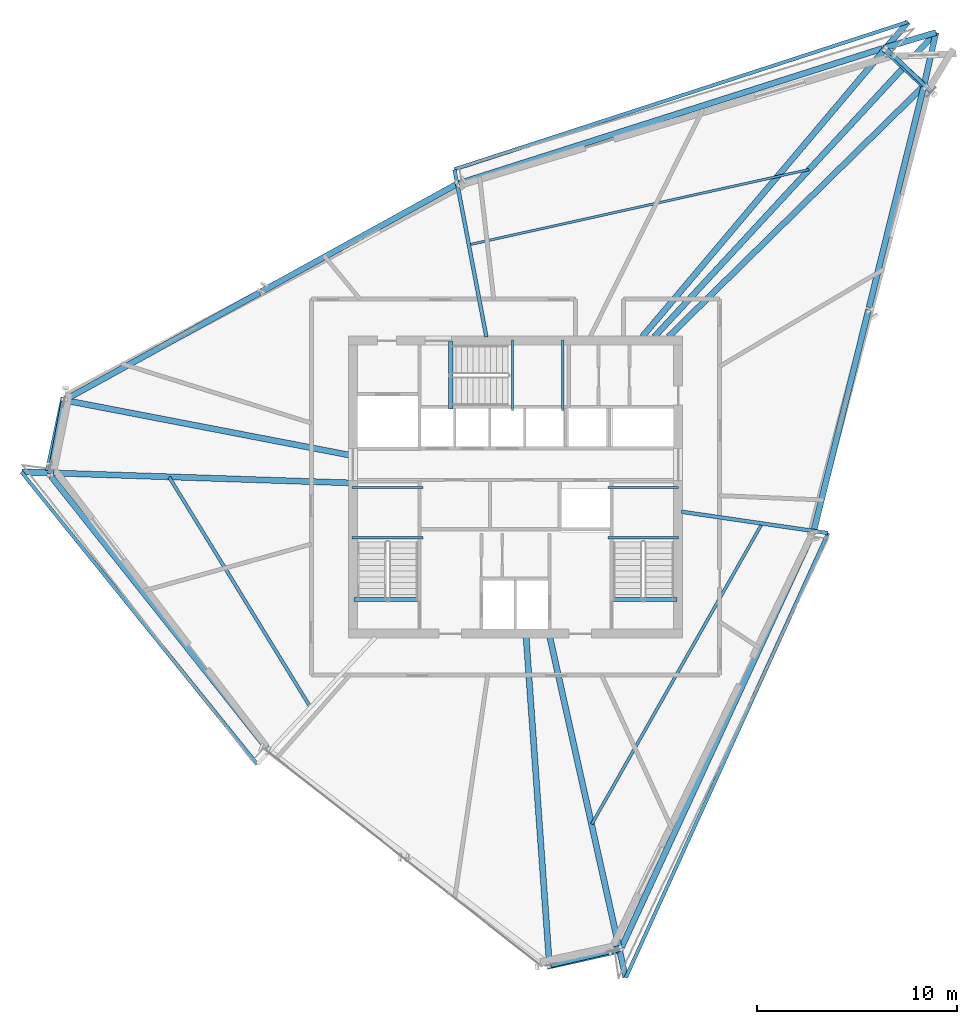
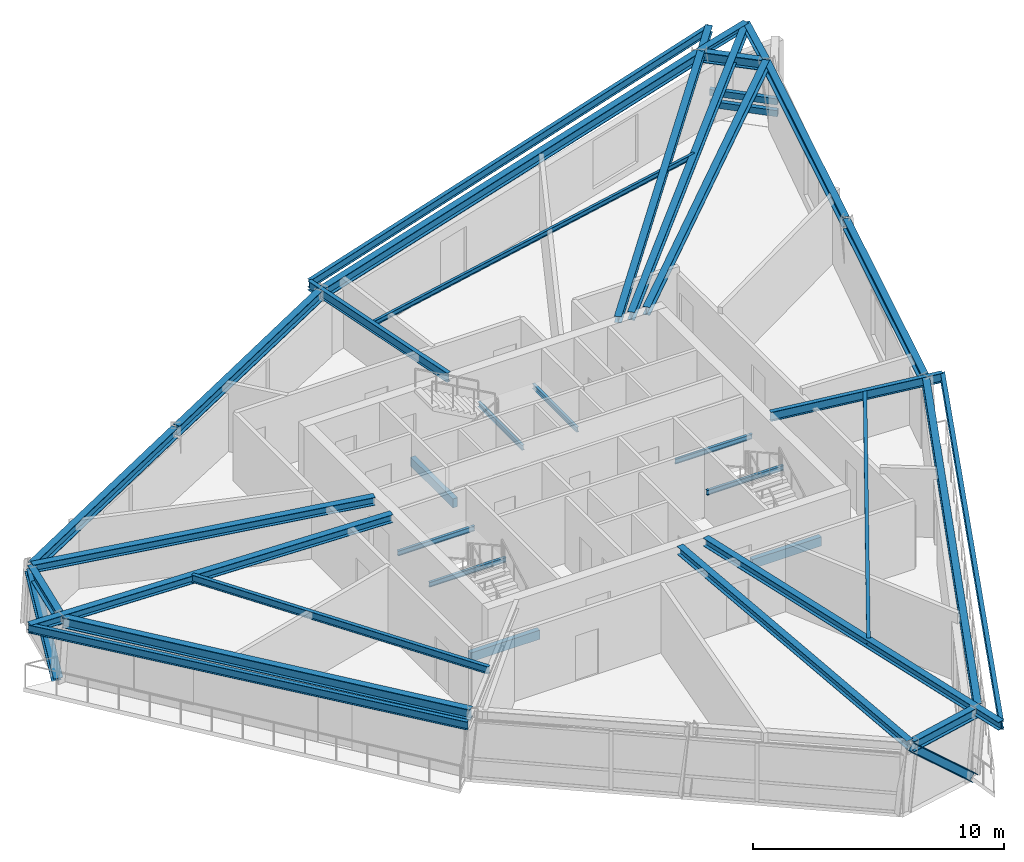
# One storey, part 4 of 14: 36 beams, 4 members.
"""IFC4 building model written with IfcOpenShell, lengths in metres."""

from ifc_helpers import new_model, si_unit, direction, frame, origin, origin_2d, place, context, subcontext, project, spatial, rectangle, hollow_rectangle, i_section, extrude, source, transform, mapped, material, material_profile, profile_set, type_object, element, save


model = new_model("IFC4")

# Units and contexts
model_context = context("Model", 3, precision=1e-05, world=origin(), true_north=direction((0.0, 1.0)))
body_context = subcontext(model_context, "Body", "Model", "MODEL_VIEW")
ifc_project = project(units=[si_unit("LENGTHUNIT", "METRE"), si_unit("AREAUNIT", "SQUARE_METRE"), si_unit("VOLUMEUNIT", "CUBIC_METRE"), si_unit("PLANEANGLEUNIT", "RADIAN"), si_unit("MASSUNIT", "GRAM", prefix="KILO")], contexts=[model_context])

# Site, building, storey
site_placement = place(None, origin())
site = spatial("IfcSite", under=ifc_project, at=site_placement, CompositionType="ELEMENT")
building_placement = place(site_placement, origin())
building = spatial("IfcBuilding", under=site, at=building_placement, Name="Olszyna Solenne Hotel", CompositionType="ELEMENT")
storey_placement = place(building_placement, frame((0.0, 0.0, 223.800048828125)))
storey = spatial("IfcBuildingStorey", under=building, at=storey_placement, Name="L59", CompositionType="ELEMENT", Elevation=223.800048828125)

# Beams
ifc_material_1 = material(Name="Steel S355J2", Category="steel")
ifc_material_profile_1 = material_profile(ifc_material_1, i_section(OverallWidth=0.300048828125, OverallDepth=0.5, WebThickness=0.014404296875, FlangeThickness=0.028076171875, at=origin_2d()), Name="HEB 500", Category="load-bearing")
ifc_profile_set_1 = profile_set([ifc_material_profile_1], Name="Steel S355J2")
beam_type_1 = type_object("IfcBeamType", Name="BM-S3", PredefinedType="BEAM", material=ifc_profile_set_1)
shared_shape_1 = source(origin(), body_context, "Body", "SweptSolid", [
    extrude(i_section(OverallWidth=0.300048828125, OverallDepth=0.5, WebThickness=0.014404296875, FlangeThickness=0.028076171875, at=origin_2d()), origin(), (0.0, 0.0, 1.0), 2.634765625),
])
beam_1_placement = place(storey_placement, frame((58.37744140625, 46.7041015625, 3.079833984375), z_axis=(-0.730833366554, 0.682555924691, 0.0), x_axis=(-0.682555924691, -0.730833366554, 0.0)))
element("IfcBeam", 1, at=beam_1_placement, inside=storey, type_object=beam_type_1, Name="Perimeter spandrel beam BM-S3 B-L59-1736", PredefinedType="BEAM", context=body_context, shape_type="MappedRepresentation", body=[
    mapped(shared_shape_1, transform((0.0, 0.0, 0.0), x_axis=(1.0, 0.0, 0.0), y_axis=(0.0, 1.0, 0.0), z_axis=(0.0, 0.0, 1.0), scale=1.0)),
])
shared_shape_2 = source(origin(), body_context, "Body", "SweptSolid", [
    extrude(i_section(OverallWidth=0.300048828125, OverallDepth=0.5, WebThickness=0.014404296875, FlangeThickness=0.028076171875, at=origin_2d()), origin(), (0.0, 0.0, 1.0), 22.27734375),
])
beam_2_placement = place(storey_placement, frame((56.35107421875, 48.525390625, 3.079833984375), z_axis=(-0.952802353804, -0.303591295305, 0.0), x_axis=(0.303591295305, -0.952802353804, 0.0)))
element("IfcBeam", 2, at=beam_2_placement, inside=storey, type_object=beam_type_1, Name="Perimeter spandrel beam BM-S3 B-L59-1737", PredefinedType="BEAM", context=body_context, shape_type="MappedRepresentation", body=[
    mapped(shared_shape_2, transform((0.0, 0.0, 0.0), x_axis=(1.0, 0.0, 0.0), y_axis=(0.0, 1.0, 0.0), z_axis=(0.0, 0.0, 1.0), scale=1.0)),
])
shared_shape_3 = source(origin(), body_context, "Body", "SweptSolid", [
    extrude(i_section(OverallWidth=0.300048828125, OverallDepth=0.5, WebThickness=0.014404296875, FlangeThickness=0.028076171875, at=origin_2d()), origin(), (0.0, 0.0, 1.0), 11.078369140625),
])
for number, where, z_axis, x_axis, name in (
    (3, (35.015380859375, 41.715087890625, 3.079833984375), (-0.876020881527, -0.482273174797, 0.0), (0.482273174797, -0.876020881527, 0.0), "Perimeter spandrel beam BM-S3 B-L59-1738"),
    (4, (25.205322265625, 36.314453125, 3.079833984375), (-0.876011570942, -0.482290086541, 0.0), (0.482290086541, -0.876011570942, 0.0), "Perimeter spandrel beam BM-S3 B-L59-1739"),
):
    element("IfcBeam", number, at=place(storey_placement, frame(where, z_axis=z_axis, x_axis=x_axis)), inside=storey, type_object=beam_type_1, Name=name, PredefinedType="BEAM", context=body_context, shape_type="MappedRepresentation", body=[
        mapped(shared_shape_3, transform((0.0, 0.0, 0.0), x_axis=(1.0, 0.0, 0.0), y_axis=(0.0, 1.0, 0.0), z_axis=(0.0, 0.0, 1.0), scale=1.0)),
    ])
shared_shape_4 = source(origin(), body_context, "Body", "SweptSolid", [
    extrude(i_section(OverallWidth=0.300048828125, OverallDepth=0.5, WebThickness=0.014404296875, FlangeThickness=0.028076171875, at=origin_2d()), origin(), (0.0, 0.0, 1.0), 3.697509765625),
])
beam_3_placement = place(storey_placement, frame((15.436767578125, 30.883544921875, 3.079833984375), z_axis=(-0.183949671407, -0.982935663403, 0.0), x_axis=(0.982935663403, -0.183949671407, 0.0)))
element("IfcBeam", 5, at=beam_3_placement, inside=storey, type_object=beam_type_1, Name="Perimeter spandrel beam BM-S3 B-L59-1740", PredefinedType="BEAM", context=body_context, shape_type="MappedRepresentation", body=[
    mapped(shared_shape_4, transform((0.0, 0.0, 0.0), x_axis=(1.0, 0.0, 0.0), y_axis=(0.0, 1.0, 0.0), z_axis=(0.0, 0.0, 1.0), scale=1.0)),
])
shared_shape_5 = source(origin(), body_context, "Body", "SweptSolid", [
    extrude(i_section(OverallWidth=0.300048828125, OverallDepth=0.5, WebThickness=0.014404296875, FlangeThickness=0.028076171875, at=origin_2d()), origin(), (0.0, 0.0, 1.0), 17.491455078125),
])
beam_4_placement = place(storey_placement, frame((14.782958984375, 27.14306640625, 3.079833984375), z_axis=(0.62179880891, -0.783177017818, 0.0), x_axis=(0.783177017818, 0.62179880891, 0.0)))
element("IfcBeam", 6, at=beam_4_placement, inside=storey, type_object=beam_type_1, Name="Perimeter spandrel beam BM-S3 B-L59-1741", PredefinedType="BEAM", context=body_context, shape_type="MappedRepresentation", body=[
    mapped(shared_shape_5, transform((0.0, 0.0, 0.0), x_axis=(1.0, 0.0, 0.0), y_axis=(0.0, 1.0, 0.0), z_axis=(0.0, 0.0, 1.0), scale=1.0)),
])
shared_shape_6 = source(origin(), body_context, "Body", "SweptSolid", [
    extrude(i_section(OverallWidth=0.300048828125, OverallDepth=0.5, WebThickness=0.014404296875, FlangeThickness=0.028076171875, at=origin_2d()), origin(), (0.0, 0.0, 1.0), 3.5576171875),
])
beam_5_placement = place(storey_placement, frame((39.756103515625, 2.727294921875, 3.079833984375), z_axis=(0.973973158014, 0.226663379195, 0.0), x_axis=(-0.226663379195, 0.973973158014, 0.0)))
element("IfcBeam", 7, at=beam_5_placement, inside=storey, type_object=beam_type_1, Name="Perimeter spandrel beam BM-S3 B-L59-1744", PredefinedType="BEAM", context=body_context, shape_type="MappedRepresentation", body=[
    mapped(shared_shape_6, transform((0.0, 0.0, 0.0), x_axis=(1.0, 0.0, 0.0), y_axis=(0.0, 1.0, 0.0), z_axis=(0.0, 0.0, 1.0), scale=1.0)),
])
shared_shape_7 = source(origin(), body_context, "Body", "SweptSolid", [
    extrude(i_section(OverallWidth=0.300048828125, OverallDepth=0.5, WebThickness=0.014404296875, FlangeThickness=0.028076171875, at=origin_2d()), origin(), (0.0, 0.0, 1.0), 22.832275390625),
])
beam_6_placement = place(storey_placement, frame((43.3046875, 3.601806640625, 3.079833984375), z_axis=(0.419382951466, 0.907809418336, 0.0), x_axis=(-0.907809418336, 0.419382951466, 0.0)))
element("IfcBeam", 8, at=beam_6_placement, inside=storey, type_object=beam_type_1, Name="Perimeter spandrel beam BM-S3 B-L59-1745", PredefinedType="BEAM", context=body_context, shape_type="MappedRepresentation", body=[
    mapped(shared_shape_7, transform((0.0, 0.0, 0.0), x_axis=(1.0, 0.0, 0.0), y_axis=(0.0, 1.0, 0.0), z_axis=(0.0, 0.0, 1.0), scale=1.0)),
])
shared_shape_8 = source(origin(), body_context, "Body", "SweptSolid", [
    extrude(i_section(OverallWidth=0.300048828125, OverallDepth=0.5, WebThickness=0.014404296875, FlangeThickness=0.028076171875, at=origin_2d()), origin(), (0.0, 0.0, 1.0), 11.356201171875),
])
for number, where, z_axis, x_axis, name in (
    (9, (52.919677734375, 24.441650390625, 3.079833984375), (0.240309268623, 0.970696376533, 0.0), (-0.970696376533, 0.240309268623, 0.0), "Perimeter spandrel beam BM-S3 B-L59-1746"),
    (10, (55.677490234375, 35.58154296875, 3.079833984375), (0.240329525378, 0.97069136147, 0.0), (-0.97069136147, 0.240329525378, 0.0), "Perimeter spandrel beam BM-S3 B-L59-1747"),
):
    element("IfcBeam", number, at=place(storey_placement, frame(where, z_axis=z_axis, x_axis=x_axis)), inside=storey, type_object=beam_type_1, Name=name, PredefinedType="BEAM", context=body_context, shape_type="MappedRepresentation", body=[
        mapped(shared_shape_8, transform((0.0, 0.0, 0.0), x_axis=(1.0, 0.0, 0.0), y_axis=(0.0, 1.0, 0.0), z_axis=(0.0, 0.0, 1.0), scale=1.0)),
    ])
ifc_material_profile_2 = material_profile(ifc_material_1, i_section(OverallWidth=0.300048828125, OverallDepth=0.389892578125, WebThickness=0.010986328125, FlangeThickness=0.01904296875, at=origin_2d()), Name="HEA 400", Category="load-bearing")
ifc_profile_set_2 = profile_set([ifc_material_profile_2], Name="Steel S355J2")
beam_type_2 = type_object("IfcBeamType", Name="BM-G2", PredefinedType="BEAM", material=ifc_profile_set_2)
shared_shape_9 = source(origin(), body_context, "Body", "SweptSolid", [
    extrude(i_section(OverallWidth=0.300048828125, OverallDepth=0.389892578125, WebThickness=0.010986328125, FlangeThickness=0.01904296875, at=origin_2d()), origin(), (0.0, 0.0, 1.0), 17.8447265625),
])
beam_7_placement = place(storey_placement, frame((58.37841796875, 46.62109375, 3.135009765625), z_axis=(-0.713331511785, -0.700826764825, 0.0), x_axis=(0.700826764825, -0.713331511785, 0.0)))
element("IfcBeam", 11, at=beam_7_placement, inside=storey, type_object=beam_type_2, Name="Radial floor girder BM-G2 B-L59-1748", PredefinedType="BEAM", context=body_context, shape_type="MappedRepresentation", body=[
    mapped(shared_shape_9, transform((0.0, 0.0, 0.0), x_axis=(1.0, 0.0, 0.0), y_axis=(0.0, 1.0, 0.0), z_axis=(0.0, 0.0, 1.0), scale=1.0)),
])
shared_shape_10 = source(origin(), body_context, "Body", "SweptSolid", [
    extrude(i_section(OverallWidth=0.300048828125, OverallDepth=0.389892578125, WebThickness=0.010986328125, FlangeThickness=0.01904296875, at=origin_2d()), origin(), (0.0, 0.0, 1.0), 20.7001953125),
])
beam_8_placement = place(storey_placement, frame((59.005126953125, 49.305908203125, 3.135009765625), z_axis=(-0.679221037568, -0.733933772301, 0.0), x_axis=(0.733933772301, -0.679221037568, 0.0)))
element("IfcBeam", 12, at=beam_8_placement, inside=storey, type_object=beam_type_2, Name="Radial floor girder BM-G2 B-L59-1749", PredefinedType="BEAM", context=body_context, shape_type="MappedRepresentation", body=[
    mapped(shared_shape_10, transform((0.0, 0.0, 0.0), x_axis=(1.0, 0.0, 0.0), y_axis=(0.0, 1.0, 0.0), z_axis=(0.0, 0.0, 1.0), scale=1.0)),
])
ifc_material_profile_3 = material_profile(ifc_material_1, i_section(OverallWidth=0.18994140625, OverallDepth=0.449951171875, WebThickness=0.009521484375, FlangeThickness=0.0146484375, at=origin_2d()), Name="IPE 450", Category="load-bearing")
ifc_profile_set_3 = profile_set([ifc_material_profile_3], Name="Steel S355J2")
beam_type_3 = type_object("IfcBeamType", Name="BM-F4", PredefinedType="BEAM", material=ifc_profile_set_3)
shared_shape_11 = source(origin(), body_context, "Body", "SweptSolid", [
    extrude(i_section(OverallWidth=0.18994140625, OverallDepth=0.449951171875, WebThickness=0.009521484375, FlangeThickness=0.0146484375, at=origin_2d()), origin(), (0.0, 0.0, 1.0), 8.51123046875),
])
beam_9_placement = place(storey_placement, frame((34.95556640625, 42.4619140625, 3.10498046875), z_axis=(0.18707783747, -0.982345093502, 0.0), x_axis=(0.982345093502, 0.18707783747, 0.0)))
element("IfcBeam", 13, at=beam_9_placement, inside=storey, type_object=beam_type_3, Name="Radial floor girder BM-F4 B-L59-1750", PredefinedType="BEAM", context=body_context, shape_type="MappedRepresentation", body=[
    mapped(shared_shape_11, transform((0.0, 0.0, 0.0), x_axis=(1.0, 0.0, 0.0), y_axis=(0.0, 1.0, 0.0), z_axis=(0.0, 0.0, 1.0), scale=1.0)),
])
shared_shape_12 = source(origin(), body_context, "Body", "SweptSolid", [
    extrude(i_section(OverallWidth=0.300048828125, OverallDepth=0.389892578125, WebThickness=0.010986328125, FlangeThickness=0.01904296875, at=origin_2d()), origin(), (0.0, 0.0, 1.0), 14.453369140625),
])
beam_10_placement = place(storey_placement, frame((15.506591796875, 30.93115234375, 3.135009765625), z_axis=(0.981963891676, -0.189068546945, 0.0), x_axis=(0.189068546945, 0.981963891676, 0.0)))
element("IfcBeam", 14, at=beam_10_placement, inside=storey, type_object=beam_type_2, Name="Radial floor girder BM-G2 B-L59-1751", PredefinedType="BEAM", context=body_context, shape_type="MappedRepresentation", body=[
    mapped(shared_shape_12, transform((0.0, 0.0, 0.0), x_axis=(1.0, 0.0, 0.0), y_axis=(0.0, 1.0, 0.0), z_axis=(0.0, 0.0, 1.0), scale=1.0)),
])
shared_shape_13 = source(origin(), body_context, "Body", "SweptSolid", [
    extrude(i_section(OverallWidth=0.300048828125, OverallDepth=0.389892578125, WebThickness=0.010986328125, FlangeThickness=0.01904296875, at=origin_2d()), origin(), (0.0, 0.0, 1.0), 16.385498046875),
])
beam_11_placement = place(storey_placement, frame((13.323486328125, 27.35693359375, 3.135009765625), z_axis=(0.999443881219, -0.03334558881, 0.0), x_axis=(0.03334558881, 0.999443881219, 0.0)))
element("IfcBeam", 15, at=beam_11_placement, inside=storey, type_object=beam_type_2, Name="Radial floor girder BM-G2 B-L59-1752", PredefinedType="BEAM", context=body_context, shape_type="MappedRepresentation", body=[
    mapped(shared_shape_13, transform((0.0, 0.0, 0.0), x_axis=(1.0, 0.0, 0.0), y_axis=(0.0, 1.0, 0.0), z_axis=(0.0, 0.0, 1.0), scale=1.0)),
])
shared_shape_14 = source(origin(), body_context, "Body", "SweptSolid", [
    extrude(i_section(OverallWidth=0.300048828125, OverallDepth=0.389892578125, WebThickness=0.010986328125, FlangeThickness=0.01904296875, at=origin_2d()), origin(), (0.0, 0.0, 1.0), 16.36767578125),
])
beam_12_placement = place(storey_placement, frame((39.693359375, 2.7734375, 3.135009765625), z_axis=(-0.070881335596, 0.997484754903, 0.0), x_axis=(-0.997484754903, -0.070881335596, 0.0)))
element("IfcBeam", 16, at=beam_12_placement, inside=storey, type_object=beam_type_2, Name="Radial floor girder BM-G2 B-L59-1754", PredefinedType="BEAM", context=body_context, shape_type="MappedRepresentation", body=[
    mapped(shared_shape_14, transform((0.0, 0.0, 0.0), x_axis=(1.0, 0.0, 0.0), y_axis=(0.0, 1.0, 0.0), z_axis=(0.0, 0.0, 1.0), scale=1.0)),
])
shared_shape_15 = source(origin(), body_context, "Body", "SweptSolid", [
    extrude(i_section(OverallWidth=0.300048828125, OverallDepth=0.389892578125, WebThickness=0.010986328125, FlangeThickness=0.01904296875, at=origin_2d()), origin(), (0.0, 0.0, 1.0), 17.423828125),
])
beam_13_placement = place(storey_placement, frame((43.507568359375, 2.091796875, 3.135009765625), z_axis=(-0.217491223877, 0.976062276464, 0.0), x_axis=(-0.976062276464, -0.217491223877, 0.0)))
element("IfcBeam", 17, at=beam_13_placement, inside=storey, type_object=beam_type_2, Name="Radial floor girder BM-G2 B-L59-1755", PredefinedType="BEAM", context=body_context, shape_type="MappedRepresentation", body=[
    mapped(shared_shape_15, transform((0.0, 0.0, 0.0), x_axis=(1.0, 0.0, 0.0), y_axis=(0.0, 1.0, 0.0), z_axis=(0.0, 0.0, 1.0), scale=1.0)),
])
shared_shape_16 = source(origin(), body_context, "Body", "SweptSolid", [
    extrude(i_section(OverallWidth=0.18994140625, OverallDepth=0.449951171875, WebThickness=0.009521484375, FlangeThickness=0.0146484375, at=origin_2d()), origin(), (0.0, 0.0, 1.0), 7.3828125),
])
beam_14_placement = place(storey_placement, frame((53.6064453125, 24.302490234375, 3.10498046875), z_axis=(-0.989575731294, 0.144013443936, 0.0), x_axis=(-0.144013443936, -0.989575731294, 0.0)))
element("IfcBeam", 18, at=beam_14_placement, inside=storey, type_object=beam_type_3, Name="Radial floor girder BM-F4 B-L59-1756", PredefinedType="BEAM", context=body_context, shape_type="MappedRepresentation", body=[
    mapped(shared_shape_16, transform((0.0, 0.0, 0.0), x_axis=(1.0, 0.0, 0.0), y_axis=(0.0, 1.0, 0.0), z_axis=(0.0, 0.0, 1.0), scale=1.0)),
])
ifc_material_profile_4 = material_profile(ifc_material_1, i_section(OverallWidth=0.300048828125, OverallDepth=0.31005859375, WebThickness=0.009033203125, FlangeThickness=0.015380859375, at=origin_2d()), Name="HEA 320", Category="load-bearing")
ifc_profile_set_4 = profile_set([ifc_material_profile_4], Name="Steel S355J2")
beam_type_4 = type_object("IfcBeamType", Name="BM-G3", PredefinedType="BEAM", material=ifc_profile_set_4)
shared_shape_17 = source(origin(), body_context, "Body", "SweptSolid", [
    extrude(i_section(OverallWidth=0.300048828125, OverallDepth=0.31005859375, WebThickness=0.009033203125, FlangeThickness=0.015380859375, at=origin_2d()), origin(), (0.0, 0.0, 1.0), 2.72412109375),
])
beam_15_placement = place(storey_placement, frame((58.421142578125, 46.6630859375, 3.175048828125), z_axis=(0.219397032607, 0.975635660523, 0.0), x_axis=(-0.975635660523, 0.219397032607, 0.0)))
element("IfcBeam", 19, at=beam_15_placement, inside=storey, type_object=beam_type_4, Name="Prism side edge beam BM-G3 B-L59-1757", PredefinedType="BEAM", context=body_context, shape_type="MappedRepresentation", body=[
    mapped(shared_shape_17, transform((0.0, 0.0, 0.0), x_axis=(1.0, 0.0, 0.0), y_axis=(0.0, 1.0, 0.0), z_axis=(0.0, 0.0, 1.0), scale=1.0)),
])
shared_shape_18 = source(origin(), body_context, "Body", "SweptSolid", [
    extrude(i_section(OverallWidth=0.300048828125, OverallDepth=0.31005859375, WebThickness=0.009033203125, FlangeThickness=0.015380859375, at=origin_2d()), origin(), (0.0, 0.0, 1.0), 2.723876953125),
])
beam_16_placement = place(storey_placement, frame((56.408203125, 48.54345703125, 3.175048828125), z_axis=(0.958413853679, 0.285381998514, 0.0), x_axis=(-0.285381998514, 0.958413853679, 0.0)))
element("IfcBeam", 20, at=beam_16_placement, inside=storey, type_object=beam_type_4, Name="Prism side edge beam BM-G3 B-L59-1758", PredefinedType="BEAM", context=body_context, shape_type="MappedRepresentation", body=[
    mapped(shared_shape_18, transform((0.0, 0.0, 0.0), x_axis=(1.0, 0.0, 0.0), y_axis=(0.0, 1.0, 0.0), z_axis=(0.0, 0.0, 1.0), scale=1.0)),
])
shared_shape_19 = source(origin(), body_context, "Body", "SweptSolid", [
    extrude(i_section(OverallWidth=0.300048828125, OverallDepth=0.31005859375, WebThickness=0.009033203125, FlangeThickness=0.015380859375, at=origin_2d()), origin(), (0.0, 0.0, 1.0), 20.5927734375),
])
beam_17_placement = place(storey_placement, frame((57.617919921875, 49.8505859375, 3.175048828125), z_axis=(-0.644876566064, -0.764286735814, 0.0), x_axis=(0.764286735814, -0.644876566064, 0.0)))
element("IfcBeam", 21, at=beam_17_placement, inside=storey, type_object=beam_type_4, Name="Loggia/prism radial back-span girder BM-G3 B-L59-1759", PredefinedType="BEAM", context=body_context, shape_type="MappedRepresentation", body=[
    mapped(shared_shape_19, transform((0.0, 0.0, 0.0), x_axis=(1.0, 0.0, 0.0), y_axis=(0.0, 1.0, 0.0), z_axis=(0.0, 0.0, 1.0), scale=1.0)),
])
ifc_material_profile_5 = material_profile(ifc_material_1, i_section(OverallWidth=0.1201171875, OverallDepth=0.239990234375, WebThickness=0.006103515625, FlangeThickness=0.009765625, at=origin_2d()), Name="IPE 240", Category="load-bearing")
ifc_profile_set_5 = profile_set([ifc_material_profile_5], Name="Steel S355J2")
beam_type_5 = type_object("IfcBeamType", Name="JS-03", PredefinedType="JOIST", material=ifc_profile_set_5)
shared_shape_20 = source(origin(), body_context, "Body", "SweptSolid", [
    extrude(i_section(OverallWidth=0.1201171875, OverallDepth=0.239990234375, WebThickness=0.006103515625, FlangeThickness=0.009765625, at=origin_2d()), origin(), (0.0, 0.0, 1.0), 17.3876953125),
])
beam_18_placement = place(storey_placement, frame((52.666015625, 42.47314453125, 3.2099609375), z_axis=(-0.976357562675, -0.21616176768, 0.0), x_axis=(0.21616176768, -0.976357562675, 0.0)))
element("IfcBeam", 22, at=beam_18_placement, inside=storey, type_object=beam_type_5, Name="Secondary composite floor joist JS-03 B-L59-1760", PredefinedType="JOIST", context=body_context, shape_type="MappedRepresentation", body=[
    mapped(shared_shape_20, transform((0.0, 0.0, 0.0), x_axis=(1.0, 0.0, 0.0), y_axis=(0.0, 1.0, 0.0), z_axis=(0.0, 0.0, 1.0), scale=1.0)),
])
ifc_material_profile_6 = material_profile(ifc_material_1, i_section(OverallWidth=0.169921875, OverallDepth=0.360107421875, WebThickness=0.008056640625, FlangeThickness=0.0126953125, at=origin_2d()), Name="IPE 360", Category="load-bearing")
ifc_profile_set_6 = profile_set([ifc_material_profile_6], Name="Steel S355J2")
beam_type_6 = type_object("IfcBeamType", Name="JS-01", PredefinedType="JOIST", material=ifc_profile_set_6)
shared_shape_21 = source(origin(), body_context, "Body", "SweptSolid", [
    extrude(i_section(OverallWidth=0.169921875, OverallDepth=0.360107421875, WebThickness=0.008056640625, FlangeThickness=0.0126953125, at=origin_2d()), origin(), (0.0, 0.0, 1.0), 13.469970703125),
])
beam_19_placement = place(storey_placement, frame((20.6923828125, 27.094482421875, 3.14990234375), z_axis=(0.523150573972, -0.852240269497, 0.0), x_axis=(0.852240269497, 0.523150573972, 0.0)))
element("IfcBeam", 23, at=beam_19_placement, inside=storey, type_object=beam_type_6, Name="Secondary composite floor joist JS-01 B-L59-1761", PredefinedType="JOIST", context=body_context, shape_type="MappedRepresentation", body=[
    mapped(shared_shape_21, transform((0.0, 0.0, 0.0), x_axis=(1.0, 0.0, 0.0), y_axis=(0.0, 1.0, 0.0), z_axis=(0.0, 0.0, 1.0), scale=1.0)),
])
ifc_material_profile_7 = material_profile(ifc_material_1, i_section(OverallWidth=0.14990234375, OverallDepth=0.300048828125, WebThickness=0.007080078125, FlangeThickness=0.0107421875, at=origin_2d()), Name="IPE 300", Category="load-bearing")
ifc_profile_set_7 = profile_set([ifc_material_profile_7], Name="Steel S355J2")
beam_type_7 = type_object("IfcBeamType", Name="JS-02", PredefinedType="JOIST", material=ifc_profile_set_7)
shared_shape_22 = source(origin(), body_context, "Body", "SweptSolid", [
    extrude(i_section(OverallWidth=0.14990234375, OverallDepth=0.300048828125, WebThickness=0.007080078125, FlangeThickness=0.0107421875, at=origin_2d()), origin(), (0.0, 0.0, 1.0), 17.252685546875),
])
beam_20_placement = place(storey_placement, frame((41.814697265625, 9.75146484375, 3.179931640625), z_axis=(0.492976509853, 0.870042620067, 0.0), x_axis=(-0.870042620067, 0.492976509853, 0.0)))
element("IfcBeam", 24, at=beam_20_placement, inside=storey, type_object=beam_type_7, Name="Secondary composite floor joist JS-02 B-L59-1762", PredefinedType="JOIST", context=body_context, shape_type="MappedRepresentation", body=[
    mapped(shared_shape_22, transform((0.0, 0.0, 0.0), x_axis=(1.0, 0.0, 0.0), y_axis=(0.0, 1.0, 0.0), z_axis=(0.0, 0.0, 1.0), scale=1.0)),
])
ifc_material_profile_8 = material_profile(ifc_material_1, i_section(OverallWidth=0.179931640625, OverallDepth=0.39990234375, WebThickness=0.008544921875, FlangeThickness=0.013427734375, at=origin_2d()), Name="IPE 400", Category="load-bearing")
ifc_profile_set_8 = profile_set([ifc_material_profile_8], Name="Steel S355J2")
beam_type_8 = type_object("IfcBeamType", Name="BM-F5", PredefinedType="BEAM", material=ifc_profile_set_8)
shared_shape_23 = source(origin(), body_context, "Body", "SweptSolid", [
    extrude(i_section(OverallWidth=0.179931640625, OverallDepth=0.39990234375, WebThickness=0.008544921875, FlangeThickness=0.013427734375, at=origin_2d()), origin(), (0.0, 0.0, 1.0), 23.833740234375),
])
beam_21_placement = place(storey_placement, frame((57.617919921875, 49.8505859375, 3.1298828125), z_axis=(-0.95100395339, -0.309178719573, 0.0), x_axis=(0.309178719573, -0.95100395339, 0.0)))
element("IfcBeam", 25, at=beam_21_placement, inside=storey, type_object=beam_type_8, Name="Loggia outer edge beam BM-F5 B-L59-1763", PredefinedType="BEAM", context=body_context, shape_type="MappedRepresentation", body=[
    mapped(shared_shape_23, transform((0.0, 0.0, 0.0), x_axis=(1.0, 0.0, 0.0), y_axis=(0.0, 1.0, 0.0), z_axis=(0.0, 0.0, 1.0), scale=1.0)),
])
shared_shape_24 = source(origin(), body_context, "Body", "SweptSolid", [
    extrude(i_section(OverallWidth=0.179931640625, OverallDepth=0.39990234375, WebThickness=0.008544921875, FlangeThickness=0.013427734375, at=origin_2d()), origin(), (0.0, 0.0, 1.0), 18.77587890625),
])
beam_22_placement = place(storey_placement, frame((13.3037109375, 27.357666015625, 3.1298828125), z_axis=(0.627829710946, -0.778350726892, 0.0), x_axis=(0.778350726892, 0.627829710946, 0.0)))
element("IfcBeam", 26, at=beam_22_placement, inside=storey, type_object=beam_type_8, Name="Loggia outer edge beam BM-F5 B-L59-1764", PredefinedType="BEAM", context=body_context, shape_type="MappedRepresentation", body=[
    mapped(shared_shape_24, transform((0.0, 0.0, 0.0), x_axis=(1.0, 0.0, 0.0), y_axis=(0.0, 1.0, 0.0), z_axis=(0.0, 0.0, 1.0), scale=1.0)),
])
shared_shape_25 = source(origin(), body_context, "Body", "SweptSolid", [
    extrude(i_section(OverallWidth=0.179931640625, OverallDepth=0.39990234375, WebThickness=0.008544921875, FlangeThickness=0.013427734375, at=origin_2d()), origin(), (0.0, 0.0, 1.0), 24.42041015625),
])
beam_23_placement = place(storey_placement, frame((43.511962890625, 2.072265625, 3.1298828125), z_axis=(0.414174253421, 0.910197609206, 0.0), x_axis=(-0.910197609206, 0.414174253421, 0.0)))
element("IfcBeam", 27, at=beam_23_placement, inside=storey, type_object=beam_type_8, Name="Loggia outer edge beam BM-F5 B-L59-1765", PredefinedType="BEAM", context=body_context, shape_type="MappedRepresentation", body=[
    mapped(shared_shape_25, transform((0.0, 0.0, 0.0), x_axis=(1.0, 0.0, 0.0), y_axis=(0.0, 1.0, 0.0), z_axis=(0.0, 0.0, 1.0), scale=1.0)),
])

# Members
ifc_material_profile_9 = material_profile(ifc_material_1, hollow_rectangle(XDim=0.199951171875, YDim=0.300048828125, WallThickness=0.01611328125, at=origin_2d()), Name="RHS 300x200x16", Category="load-bearing")
ifc_profile_set_9 = profile_set([ifc_material_profile_9], Name="Steel S355J2")
member_type_1 = type_object("IfcMemberType", Name="CH-PR1", PredefinedType="CHORD", material=ifc_profile_set_9)
shared_shape_26 = source(origin(), body_context, "Body", "SweptSolid", [
    extrude(hollow_rectangle(XDim=0.199951171875, YDim=0.300048828125, WallThickness=0.01611328125, at=origin_2d()), origin(), (0.0, 0.0, 1.0), 2.79296875),
])
for number, where, z_axis, x_axis, name in (
    (28, (58.778076171875, 46.35888671875, 1.349853515625), (-0.720011183239, 0.693962460087, 0.0), (-0.693962460087, -0.720011183239, 0.0), "Glass-prism tie chord CH-PR1 M-L59-PR1"),
    (29, (58.778076171875, 46.35888671875, 0.780029296875), (-0.720011183239, 0.693962460087, 0.0), (-0.693962460087, -0.720011183239, 0.0), "Glass-prism tie chord CH-PR1 M-L59-PR2"),
):
    element("IfcMember", number, at=place(storey_placement, frame(where, z_axis=z_axis, x_axis=x_axis)), inside=storey, type_object=member_type_1, Name=name, PredefinedType="CHORD", context=body_context, shape_type="MappedRepresentation", body=[
        mapped(shared_shape_26, transform((0.0, 0.0, 0.0), x_axis=(1.0, 0.0, 0.0), y_axis=(0.0, 1.0, 0.0), z_axis=(0.0, 0.0, 1.0), scale=1.0)),
    ])
ifc_material_2 = material(Name="Steel S460M", Category="steel")
ifc_material_profile_10 = material_profile(ifc_material_2, i_section(OverallWidth=0.40087890625, OverallDepth=0.39892578125, WebThickness=0.02197265625, FlangeThickness=0.034423828125, at=origin_2d()), Name="HD 400x314", Category="load-bearing")
ifc_profile_set_10 = profile_set([ifc_material_profile_10], Name="Steel S460M")
member_type_2 = type_object("IfcMemberType", Name="BR-T3", PredefinedType="BRACE", material=ifc_profile_set_10)
shared_shape_27 = source(origin(), body_context, "Body", "SweptSolid", [
    extrude(i_section(OverallWidth=0.40087890625, OverallDepth=0.39892578125, WebThickness=0.02197265625, FlangeThickness=0.034423828125, at=origin_2d()), origin(), (0.0, 0.0, 1.0), 4.63037109375),
])
member_1_placement = place(storey_placement, frame((14.72021484375, 27.53076171875, 0.010009765625), z_axis=(0.157124429902, 0.736797578339, 0.657602647563), x_axis=(-0.978008828031, 0.208563497032, 0.0)))
element("IfcMember", 30, at=member_1_placement, inside=storey, type_object=member_type_2, Name="Perimeter braced-tube diagonal BR-T3 BR-L59-2", PredefinedType="BRACE", context=body_context, shape_type="MappedRepresentation", body=[
    mapped(shared_shape_27, transform((0.0, 0.0, 0.0), x_axis=(1.0, 0.0, 0.0), y_axis=(0.0, 1.0, 0.0), z_axis=(0.0, 0.0, 1.0), scale=1.0)),
])
shared_shape_28 = source(origin(), body_context, "Body", "SweptSolid", [
    extrude(i_section(OverallWidth=0.40087890625, OverallDepth=0.39892578125, WebThickness=0.02197265625, FlangeThickness=0.034423828125, at=origin_2d()), origin(), (0.0, 0.0, 1.0), 4.50927734375),
])
member_2_placement = place(storey_placement, frame((42.943603515625, 3.438720703125, 0.010009765625), z_axis=(-0.719828779708, -0.160804172676, 0.675269239603), x_axis=(0.218018472284, -0.975944642766, 0.0)))
element("IfcMember", 31, at=member_2_placement, inside=storey, type_object=member_type_2, Name="Perimeter braced-tube diagonal BR-T3 BR-L59-3", PredefinedType="BRACE", context=body_context, shape_type="MappedRepresentation", body=[
    mapped(shared_shape_28, transform((0.0, 0.0, 0.0), x_axis=(1.0, 0.0, 0.0), y_axis=(0.0, 1.0, 0.0), z_axis=(0.0, 0.0, 1.0), scale=1.0)),
])

# Beams
shared_shape_29 = source(origin(), body_context, "Body", "SweptSolid", [
    extrude(i_section(OverallWidth=0.1201171875, OverallDepth=0.239990234375, WebThickness=0.006103515625, FlangeThickness=0.009765625, at=origin_2d()), origin(), (0.0, 0.0, 1.0), 3.539794921875),
])
for number, where, z_axis, x_axis, name in (
    (32, (33.3798828125, 24.070068359375, 1.449951171875), (-1.0, 0.0, 0.0), (0.0, -1.0, 0.0), "Stair landing support beam JS-03 SLB-ST1-0123"),
    (33, (33.3798828125, 26.580078125, 1.449951171875), (-1.0, 0.0, 0.0), (0.0, -1.0, 0.0), "Stair landing support beam JS-03 SLB-ST1-0124"),
    (34, (46.159912109375, 24.070068359375, 1.449951171875), (-1.0, 0.0, 0.0), (0.0, -1.0, 0.0), "Stair landing support beam JS-03 SLB-ST2-0363"),
    (35, (46.159912109375, 26.580078125, 1.449951171875), (-1.0, 0.0, 0.0), (0.0, -1.0, 0.0), "Stair landing support beam JS-03 SLB-ST2-0364"),
):
    element("IfcBeam", number, at=place(storey_placement, frame(where, z_axis=z_axis, x_axis=x_axis)), inside=storey, type_object=beam_type_5, Name=name, PredefinedType="JOIST", context=body_context, shape_type="MappedRepresentation", body=[
        mapped(shared_shape_29, transform((0.0, 0.0, 0.0), x_axis=(1.0, 0.0, 0.0), y_axis=(0.0, 1.0, 0.0), z_axis=(0.0, 0.0, 1.0), scale=1.0)),
    ])
ifc_material_3 = material(Name="Concrete C50/60", Category="concrete")
ifc_material_profile_11 = material_profile(ifc_material_3, rectangle(XDim=0.219970703125, YDim=0.43994140625, at=origin_2d()), Name="RC 220x440", Category="load-bearing")
ifc_profile_set_11 = profile_set([ifc_material_profile_11], Name="Concrete C50/60")
beam_type_9 = type_object("IfcBeamType", Name="BM-ST1", PredefinedType="BEAM", material=ifc_profile_set_11)
shared_shape_30 = source(origin(), body_context, "Body", "SweptSolid", [
    extrude(rectangle(XDim=0.219970703125, YDim=0.43994140625, at=origin_2d()), origin(), (0.0, 0.0, 1.0), 3.18017578125),
])
for number, where, z_axis, x_axis, name in (
    (36, (33.10009765625, 20.97998046875, -0.205078125), (-1.0, 0.0, 0.0), (0.0, -1.0, 0.0), "Concrete stair trimmer beam BM-ST1 SHB-ST1-0221"),
    (37, (46.080078125, 20.97998046875, -0.205078125), (-1.0, 0.0, 0.0), (0.0, -1.0, 0.0), "Concrete stair trimmer beam BM-ST1 SHB-ST2-0461"),
):
    element("IfcBeam", number, at=place(storey_placement, frame(where, z_axis=z_axis, x_axis=x_axis)), inside=storey, type_object=beam_type_9, Name=name, PredefinedType="BEAM", context=body_context, shape_type="MappedRepresentation", body=[
        mapped(shared_shape_30, transform((0.0, 0.0, 0.0), x_axis=(1.0, 0.0, 0.0), y_axis=(0.0, 1.0, 0.0), z_axis=(0.0, 0.0, 1.0), scale=1.0)),
    ])
shared_shape_31 = source(origin(), body_context, "Body", "SweptSolid", [
    extrude(i_section(OverallWidth=0.1201171875, OverallDepth=0.239990234375, WebThickness=0.006103515625, FlangeThickness=0.009765625, at=origin_2d()), origin(), (0.0, 0.0, 1.0), 3.5400390625),
])
for number, where, z_axis, x_axis, name in (
    (38, (37.85009765625, 30.419921875, 1.449951171875), (0.0, 1.0, 0.0), (-1.0, 0.0, 0.0), "Stair landing support beam JS-03 SLB-ST3-0603"),
    (39, (40.360107421875, 30.419921875, 1.449951171875), (0.0, 1.0, 0.0), (-1.0, 0.0, 0.0), "Stair landing support beam JS-03 SLB-ST3-0604"),
):
    element("IfcBeam", number, at=place(storey_placement, frame(where, z_axis=z_axis, x_axis=x_axis)), inside=storey, type_object=beam_type_5, Name=name, PredefinedType="JOIST", context=body_context, shape_type="MappedRepresentation", body=[
        mapped(shared_shape_31, transform((0.0, 0.0, 0.0), x_axis=(1.0, 0.0, 0.0), y_axis=(0.0, 1.0, 0.0), z_axis=(0.0, 0.0, 1.0), scale=1.0)),
    ])
shared_shape_32 = source(origin(), body_context, "Body", "SweptSolid", [
    extrude(rectangle(XDim=0.219970703125, YDim=0.43994140625, at=origin_2d()), origin(), (0.0, 0.0, 1.0), 3.3798828125),
])
beam_24_placement = place(storey_placement, frame((34.760009765625, 30.5, -0.205078125), z_axis=(0.0, 1.0, 0.0), x_axis=(-1.0, 0.0, 0.0)))
element("IfcBeam", 40, at=beam_24_placement, inside=storey, type_object=beam_type_9, Name="Concrete stair trimmer beam BM-ST1 SHB-ST3-0699", PredefinedType="BEAM", context=body_context, shape_type="MappedRepresentation", body=[
    mapped(shared_shape_32, transform((0.0, 0.0, 0.0), x_axis=(1.0, 0.0, 0.0), y_axis=(0.0, 1.0, 0.0), z_axis=(0.0, 0.0, 1.0), scale=1.0)),
])

save(model, "model.ifc")
